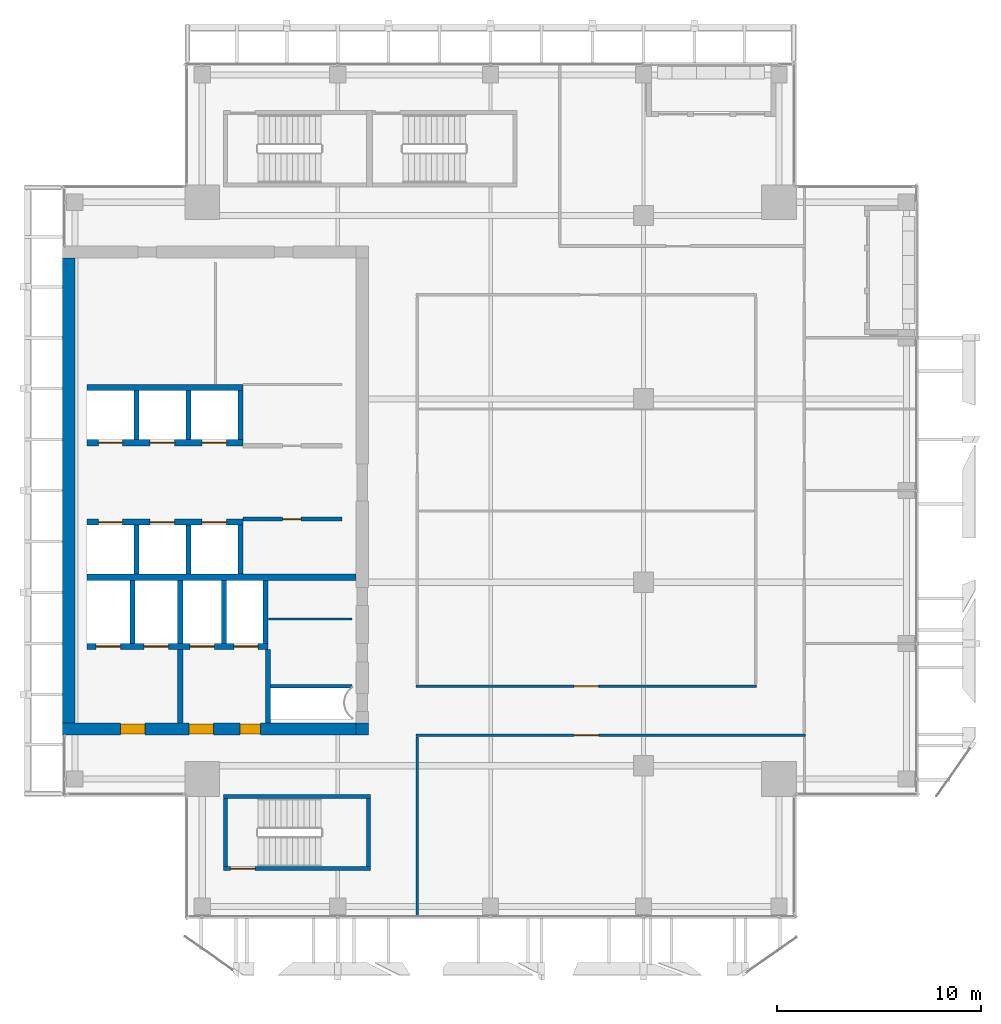
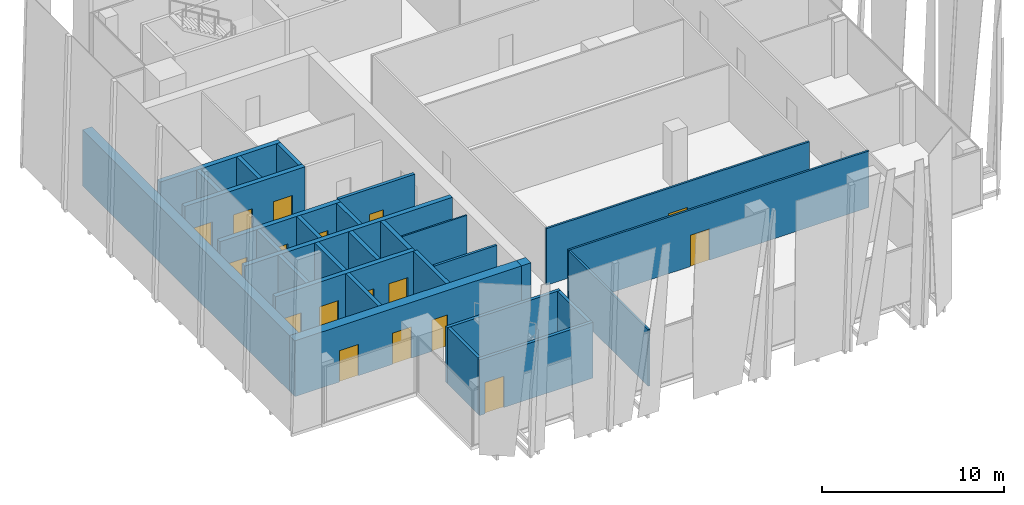
# One storey, part 26 of 32: 30 walls, 17 doors, 17 openings.
"""IFC4 building model written with IfcOpenShell, lengths in metres."""

from ifc_helpers import new_model, si_unit, direction, frame, frame_2d, origin, place, context, subcontext, project, spatial, rectangle, extrude, source, transform, mapped, material, layer, layer_set, type_object, element, fill, save


model = new_model("IFC4")

# Units and contexts
model_context = context("Model", 3, precision=1e-05, world=origin(), true_north=direction((0.0, 1.0)))
body_context = subcontext(model_context, "Body", "Model", "MODEL_VIEW")
ifc_project = project(units=[si_unit("LENGTHUNIT", "METRE"), si_unit("AREAUNIT", "SQUARE_METRE"), si_unit("VOLUMEUNIT", "CUBIC_METRE"), si_unit("PLANEANGLEUNIT", "RADIAN"), si_unit("MASSUNIT", "GRAM", prefix="KILO")], contexts=[model_context])

# Site, building, storey
site_placement = place(None, origin())
site = spatial("IfcSite", under=ifc_project, at=site_placement, CompositionType="ELEMENT")
building_placement = place(site_placement, origin())
building = spatial("IfcBuilding", under=site, at=building_placement, Name="Khomas Fold Tower", CompositionType="ELEMENT")
storey_placement = place(building_placement, frame((0.0, 0.0, 306.199951171875)))
storey = spatial("IfcBuildingStorey", under=building, at=storey_placement, Name="L69", CompositionType="ELEMENT", Elevation=306.199951171875)

# Wall
ifc_material_1 = material(Name="Concrete C50/60", Category="concrete")
ifc_layer_1 = layer(ifc_material_1, 0.199951171875)
ifc_layer_set_1 = layer_set([ifc_layer_1], Name="Concrete C50/60")
wall_type_1 = type_object("IfcWallType", Name="Stair wall 200", PredefinedType="SHEAR", material=ifc_layer_set_1)
shared_shape_1 = source(origin(), body_context, "Body", "SweptSolid", [
    extrude(rectangle(XDim=7.2001953125, YDim=0.199951171875, at=frame_2d((3.60009765625, 0.0))), origin(), (0.0, 0.0, 1.0), 3.75),
])
wall_1_placement = place(storey_placement, frame((13.89990234375, 12.0, 0.0), z_axis=(0.0, 0.0, 1.0), x_axis=(1.0, 0.0, 0.0)))
element("IfcWall", 1, at=wall_1_placement, inside=storey, type_object=wall_type_1, Name="Stair wall SW-ST2-NH", PredefinedType="SHEAR", context=body_context, shape_type="MappedRepresentation", body=[
    mapped(shared_shape_1, transform((0.0, 0.0, 0.0))),
])

# Wall, opening, door
wall_2_placement = place(storey_placement, frame((13.89990234375, 8.449951171875, 0.0), z_axis=(0.0, 0.0, 1.0), x_axis=(1.0, 0.0, 0.0)))
wall_2 = element("IfcWall", 2, at=wall_2_placement, inside=storey, type_object=wall_type_1, Name="Stair wall SW-ST2-S", PredefinedType="SHEAR", context=body_context, shape_type="MappedRepresentation", body=[
    mapped(shared_shape_1, transform((0.0, 0.0, 0.0))),
])
shared_shape_2 = source(origin(), body_context, "Body", "SweptSolid", [
    extrude(rectangle(XDim=1.199951171875, YDim=2.10009765625, at=frame_2d((0.60009765625, 1.050048828125))), frame((0.0, 0.10986328125, 0.0), z_axis=(0.0, -1.0, 0.0), x_axis=(1.0, 0.0, 0.0)), (0.0, 0.0, 1.0), 0.219970703125),
])
opening_1_placement = place(wall_2_placement, frame((0.35009765625, 0.0, 0.0)))
opening_1 = element("IfcOpeningElement", 3, at=opening_1_placement, cuts=wall_2, Name="Opening SD-ST2", PredefinedType="OPENING", context=body_context, shape_type="MappedRepresentation", body=[
    mapped(shared_shape_2, transform((0.0, 0.0, 0.0))),
])
ifc_material_2 = material(Name="Steel door leaf", Category="steel")
door_type_1 = type_object("IfcDoorType", Name="Stair door 1200x2100 right-hand", OperationType="SINGLE_SWING_RIGHT", PredefinedType="DOOR", material=ifc_material_2)
shared_shape_3 = source(origin(), body_context, "Body", "SweptSolid", [
    extrude(rectangle(XDim=1.199951171875, YDim=2.10009765625, at=frame_2d((0.60009765625, 1.050048828125))), frame((0.0, 0.02490234375, 0.0), z_axis=(0.0, -1.0, 0.0), x_axis=(1.0, 0.0, 0.0)), (0.0, 0.0, 1.0), 0.050048828125),
])
door_1_placement = place(opening_1_placement, origin())
door_1 = element("IfcDoor", 4, at=door_1_placement, inside=storey, type_object=door_type_1, Name="Stair door", OperationType="SINGLE_SWING_RIGHT", OverallHeight=2.10009765625, OverallWidth=1.199951171875, PredefinedType="DOOR", context=body_context, shape_type="MappedRepresentation", body=[
    mapped(shared_shape_3, transform((0.0, 0.0, 0.0))),
])
fill(opening_1, door_1)

# Walls
shared_shape_4 = source(origin(), body_context, "Body", "SweptSolid", [
    extrude(rectangle(XDim=3.349853515625, YDim=0.199951171875, at=frame_2d((1.6748046875, 0.0))), origin(), (0.0, 0.0, 1.0), 3.75),
])
for number, where, z_axis, x_axis, name in (
    (5, (21.0, 8.550048828125, 0.0), (0.0, 0.0, 1.0), (0.0, 1.0, 0.0), "Stair wall SW-ST2-E"),
    (6, (14.0, 8.550048828125, 0.0), (0.0, 0.0, 1.0), (0.0, 1.0, 0.0), "Stair wall SW-ST2-W"),
):
    element("IfcWall", number, at=place(storey_placement, frame(where, z_axis=z_axis, x_axis=x_axis)), inside=storey, type_object=wall_type_1, Name=name, PredefinedType="SHEAR", context=body_context, shape_type="MappedRepresentation", body=[
        mapped(shared_shape_4, transform((0.0, 0.0, 0.0))),
    ])
ifc_material_3 = material(Name="Concrete C50/60", Category="concrete")
ifc_layer_2 = layer(ifc_material_3, 0.25)
ifc_layer_set_2 = layer_set([ifc_layer_2], Name="Concrete C50/60")
wall_type_2 = type_object("IfcWallType", Name="Shaft wall 250", PredefinedType="STANDARD", material=ifc_layer_set_2)
shared_shape_5 = source(origin(), body_context, "Body", "SweptSolid", [
    extrude(rectangle(XDim=3.10009765625, YDim=0.25, at=frame_2d((1.550048828125, 0.0))), origin(), (0.0, 0.0, 1.0), 3.75),
])
for number, where, z_axis, x_axis, name in (
    (7, (9.425048828125, 19.5, 0.0), (0.0, 0.0, 1.0), (0.0, 1.0, 0.0), "Core wall SW-FS-P1"),
    (8, (11.77490234375, 19.5, 0.0), (0.0, 0.0, 1.0), (0.0, 1.0, 0.0), "Core wall SW-FS-P2"),
    (9, (13.925048828125, 19.5, 0.0), (0.0, 0.0, 1.0), (0.0, 1.0, 0.0), "Core wall SW-FS-P3"),
    (10, (15.949951171875, 19.5, 0.0), (0.0, 0.0, 1.0), (0.0, 1.0, 0.0), "Core wall SW-FS-PE"),
):
    element("IfcWall", number, at=place(storey_placement, frame(where, z_axis=z_axis, x_axis=x_axis)), inside=storey, type_object=wall_type_2, Name=name, PredefinedType="STANDARD", context=body_context, shape_type="MappedRepresentation", body=[
        mapped(shared_shape_5, transform((0.0, 0.0, 0.0))),
    ])
shared_shape_6 = source(origin(), body_context, "Body", "SweptSolid", [
    extrude(rectangle(XDim=2.39990234375, YDim=0.25, at=frame_2d((1.199951171875, 0.0))), origin(), (0.0, 0.0, 1.0), 3.75),
])
for number, where, z_axis, x_axis, name in (
    (11, (9.625, 29.5, 0.0), (0.0, 0.0, 1.0), (0.0, 1.0, 0.0), "Core wall SW-HRN-P1"),
    (12, (12.175048828125, 29.5, 0.0), (0.0, 0.0, 1.0), (0.0, 1.0, 0.0), "Core wall SW-HRN-P2"),
    (13, (14.72509765625, 29.5, 0.0), (0.0, 0.0, 1.0), (0.0, 1.0, 0.0), "Core wall SW-HRN-PE"),
):
    element("IfcWall", number, at=place(storey_placement, frame(where, z_axis=z_axis, x_axis=x_axis)), inside=storey, type_object=wall_type_2, Name=name, PredefinedType="STANDARD", context=body_context, shape_type="MappedRepresentation", body=[
        mapped(shared_shape_6, transform((0.0, 0.0, 0.0))),
    ])
shared_shape_7 = source(origin(), body_context, "Body", "SweptSolid", [
    extrude(rectangle(XDim=2.400146484375, YDim=0.25, at=frame_2d((1.2001953125, 0.0))), origin(), (0.0, 0.0, 1.0), 3.75),
])
for number, where, z_axis, x_axis, name in (
    (14, (9.625, 22.89990234375, 0.0), (0.0, 0.0, 1.0), (0.0, 1.0, 0.0), "Core wall SW-HRS-P1"),
    (15, (12.175048828125, 22.89990234375, 0.0), (0.0, 0.0, 1.0), (0.0, 1.0, 0.0), "Core wall SW-HRS-P2"),
    (16, (14.72509765625, 22.89990234375, 0.0), (0.0, 0.0, 1.0), (0.0, 1.0, 0.0), "Core wall SW-HRS-PE"),
):
    element("IfcWall", number, at=place(storey_placement, frame(where, z_axis=z_axis, x_axis=x_axis)), inside=storey, type_object=wall_type_2, Name=name, PredefinedType="STANDARD", context=body_context, shape_type="MappedRepresentation", body=[
        mapped(shared_shape_7, transform((0.0, 0.0, 0.0))),
    ])

# Wall, openings, doors
ifc_material_4 = material(Name="Concrete C50/60", Category="concrete")
ifc_layer_3 = layer(ifc_material_4, 0.60009765625)
ifc_layer_set_3 = layer_set([ifc_layer_3], Name="Concrete C50/60")
wall_type_3 = type_object("IfcWallType", Name="Core wall 600", PredefinedType="SHEAR", material=ifc_layer_set_3)
shared_shape_8 = source(origin(), body_context, "Body", "SweptSolid", [
    extrude(rectangle(XDim=14.39990234375, YDim=0.60009765625, at=frame_2d((7.199951171875, 0.0))), origin(), (0.0, 0.0, 1.0), 3.75),
])
wall_3_placement = place(storey_placement, frame((6.0, 15.300048828125, 0.0), z_axis=(0.0, 0.0, 1.0), x_axis=(1.0, 0.0, 0.0)))
wall_3 = element("IfcWall", 17, at=wall_3_placement, inside=storey, type_object=wall_type_3, Name="Core wall CW-U-S-L63", PredefinedType="SHEAR", context=body_context, shape_type="MappedRepresentation", body=[
    mapped(shared_shape_8, transform((0.0, 0.0, 0.0))),
])
shared_shape_9 = source(origin(), body_context, "Body", "SweptSolid", [
    extrude(rectangle(XDim=1.199951171875, YDim=2.10009765625, at=frame_2d((0.60009765625, 1.050048828125))), frame((0.0, 0.31005859375, 0.0), z_axis=(0.0, -1.0, 0.0), x_axis=(1.0, 0.0, 0.0)), (0.0, 0.0, 1.0), 0.6201171875),
])
opening_2_placement = place(wall_3_placement, frame((6.199951171875, 0.0, 0.0)))
opening_2 = element("IfcOpeningElement", 18, at=opening_2_placement, cuts=wall_3, Name="Opening 0009", PredefinedType="OPENING", context=body_context, shape_type="MappedRepresentation", body=[
    mapped(shared_shape_9, transform((0.0, 0.0, 0.0))),
])
opening_3_placement = place(wall_3_placement, frame((2.85009765625, 0.0, 0.0)))
opening_3 = element("IfcOpeningElement", 19, at=opening_3_placement, cuts=wall_3, Name="Opening 0009", PredefinedType="OPENING", context=body_context, shape_type="MappedRepresentation", body=[
    mapped(shared_shape_9, transform((0.0, 0.0, 0.0))),
])
shared_shape_10 = source(origin(), body_context, "Body", "SweptSolid", [
    extrude(rectangle(XDim=1.0, YDim=2.10009765625, at=frame_2d((0.5, 1.050048828125))), frame((0.0, 0.31005859375, 0.0), z_axis=(0.0, -1.0, 0.0), x_axis=(1.0, 0.0, 0.0)), (0.0, 0.0, 1.0), 0.6201171875),
])
opening_4_placement = place(wall_3_placement, frame((8.699951171875, 0.0, 0.0)))
opening_4 = element("IfcOpeningElement", 20, at=opening_4_placement, cuts=wall_3, Name="Opening 0010", PredefinedType="OPENING", context=body_context, shape_type="MappedRepresentation", body=[
    mapped(shared_shape_10, transform((0.0, 0.0, 0.0))),
])
ifc_material_5 = material(Name="Steel door leaf", Category="steel")
door_type_2 = type_object("IfcDoorType", Name="Stair door 1000x2100 right-hand", OperationType="SINGLE_SWING_RIGHT", PredefinedType="DOOR", material=ifc_material_5)
shared_shape_11 = source(origin(), body_context, "Body", "SweptSolid", [
    extrude(rectangle(XDim=1.0, YDim=2.10009765625, at=frame_2d((0.5, 1.050048828125))), frame((0.0, 0.25, 0.0), z_axis=(0.0, -1.0, 0.0), x_axis=(1.0, 0.0, 0.0)), (0.0, 0.0, 1.0), 0.5),
])
door_2_placement = place(opening_4_placement, origin())
door_2 = element("IfcDoor", 21, at=door_2_placement, inside=storey, type_object=door_type_2, Name="Stair door", OperationType="SINGLE_SWING_RIGHT", OverallHeight=2.10009765625, OverallWidth=1.0, PredefinedType="DOOR", context=body_context, shape_type="MappedRepresentation", body=[
    mapped(shared_shape_11, transform((0.0, 0.0, 0.0))),
])
fill(opening_4, door_2)
ifc_material_6 = material(Name="Steel door leaf", Category="steel")
door_type_3 = type_object("IfcDoorType", Name="Lobby door 1200x2100 right-hand", OperationType="SINGLE_SWING_RIGHT", PredefinedType="DOOR", material=ifc_material_6)
shared_shape_12 = source(origin(), body_context, "Body", "SweptSolid", [
    extrude(rectangle(XDim=1.199951171875, YDim=2.10009765625, at=frame_2d((0.60009765625, 1.050048828125))), frame((0.0, 0.25, 0.0), z_axis=(0.0, -1.0, 0.0), x_axis=(1.0, 0.0, 0.0)), (0.0, 0.0, 1.0), 0.5),
])
door_3_placement = place(opening_2_placement, origin())
door_3 = element("IfcDoor", 22, at=door_3_placement, inside=storey, type_object=door_type_3, Name="Lobby door", OperationType="SINGLE_SWING_RIGHT", OverallHeight=2.10009765625, OverallWidth=1.199951171875, PredefinedType="DOOR", context=body_context, shape_type="MappedRepresentation", body=[
    mapped(shared_shape_12, transform((0.0, 0.0, 0.0))),
])
fill(opening_2, door_3)
door_4_placement = place(opening_3_placement, origin())
door_4 = element("IfcDoor", 23, at=door_4_placement, inside=storey, type_object=door_type_3, Name="Lobby door", OperationType="SINGLE_SWING_RIGHT", OverallHeight=2.10009765625, OverallWidth=1.199951171875, PredefinedType="DOOR", context=body_context, shape_type="MappedRepresentation", body=[
    mapped(shared_shape_12, transform((0.0, 0.0, 0.0))),
])
fill(opening_3, door_4)

# Walls
ifc_material_7 = material(Name="Concrete C50/60", Category="concrete")
ifc_layer_4 = layer(ifc_material_7, 0.60009765625)
ifc_layer_set_4 = layer_set([ifc_layer_4], Name="Concrete C50/60")
wall_type_4 = type_object("IfcWallType", Name="Core corner wall 600", PredefinedType="SHEAR", material=ifc_layer_set_4)
shared_shape_13 = source(origin(), body_context, "Body", "SweptSolid", [
    extrude(rectangle(XDim=0.60009765625, YDim=0.60009765625, at=frame_2d((0.300048828125, 0.0))), origin(), (0.0, 0.0, 1.0), 3.75),
])
wall_4_placement = place(storey_placement, frame((20.39990234375, 15.300048828125, 0.0), z_axis=(0.0, 0.0, 1.0), x_axis=(1.0, 0.0, 0.0)))
element("IfcWall", 24, at=wall_4_placement, inside=storey, type_object=wall_type_4, Name="Core wall CW-U-SE-L63", PredefinedType="SHEAR", context=body_context, shape_type="MappedRepresentation", body=[
    mapped(shared_shape_13, transform((0.0, 0.0, 0.0))),
])
shared_shape_14 = source(origin(), body_context, "Body", "SweptSolid", [
    extrude(rectangle(XDim=22.7998046875, YDim=0.60009765625, at=frame_2d((11.39990234375, 0.0))), origin(), (0.0, 0.0, 1.0), 3.75),
])
wall_5_placement = place(storey_placement, frame((6.300048828125, 15.60009765625, 0.0), z_axis=(0.0, 0.0, 1.0), x_axis=(0.0, 1.0, 0.0)))
element("IfcWall", 25, at=wall_5_placement, inside=storey, type_object=wall_type_3, Name="Core wall CW-U-W-L63", PredefinedType="SHEAR", context=body_context, shape_type="MappedRepresentation", body=[
    mapped(shared_shape_14, transform((0.0, 0.0, 0.0))),
])
ifc_material_8 = material(Name="Concrete C50/60", Category="concrete")
ifc_layer_5 = layer(ifc_material_8, 0.300048828125)
ifc_layer_set_5 = layer_set([ifc_layer_5], Name="Concrete C50/60")
wall_type_5 = type_object("IfcWallType", Name="Shaft wall 300", PredefinedType="STANDARD", material=ifc_layer_set_5)
shared_shape_15 = source(origin(), body_context, "Body", "SweptSolid", [
    extrude(rectangle(XDim=13.199951171875, YDim=0.300048828125, at=frame_2d((6.60009765625, 0.0))), origin(), (0.0, 0.0, 1.0), 3.75),
])
wall_6_placement = place(storey_placement, frame((7.199951171875, 22.75, 0.0), z_axis=(0.0, 0.0, 1.0), x_axis=(1.0, 0.0, 0.0)))
element("IfcWall", 26, at=wall_6_placement, inside=storey, type_object=wall_type_5, Name="Core wall SW-FS-B", PredefinedType="STANDARD", context=body_context, shape_type="MappedRepresentation", body=[
    mapped(shared_shape_15, transform((0.0, 0.0, 0.0))),
])

# Wall, openings, doors
shared_shape_16 = source(origin(), body_context, "Body", "SweptSolid", [
    extrude(rectangle(XDim=8.875, YDim=0.300048828125, at=frame_2d((4.4375, 0.0))), origin(), (0.0, 0.0, 1.0), 3.75),
])
wall_7_placement = place(storey_placement, frame((7.199951171875, 19.35009765625, 0.0), z_axis=(0.0, 0.0, 1.0), x_axis=(1.0, 0.0, 0.0)))
wall_7 = element("IfcWall", 27, at=wall_7_placement, inside=storey, type_object=wall_type_5, Name="Core wall SW-FS-F", PredefinedType="STANDARD", context=body_context, shape_type="MappedRepresentation", body=[
    mapped(shared_shape_16, transform((0.0, 0.0, 0.0))),
])
shared_shape_17 = source(origin(), body_context, "Body", "SweptSolid", [
    extrude(rectangle(XDim=1.199951171875, YDim=2.10009765625, at=frame_2d((0.60009765625, 1.050048828125))), frame((0.0, 0.159912109375, 0.0), z_axis=(0.0, -1.0, 0.0), x_axis=(1.0, 0.0, 0.0)), (0.0, 0.0, 1.0), 0.320068359375),
])
opening_5_placement = place(wall_7_placement, frame((0.449951171875, 0.0, 0.0)))
opening_5 = element("IfcOpeningElement", 28, at=opening_5_placement, cuts=wall_7, Name="Opening LD-SV1", PredefinedType="OPENING", context=body_context, shape_type="MappedRepresentation", body=[
    mapped(shared_shape_17, transform((0.0, 0.0, 0.0))),
])
opening_6_placement = place(wall_7_placement, frame((2.800048828125, 0.0, 0.0)))
opening_6 = element("IfcOpeningElement", 29, at=opening_6_placement, cuts=wall_7, Name="Opening LD-SV2", PredefinedType="OPENING", context=body_context, shape_type="MappedRepresentation", body=[
    mapped(shared_shape_17, transform((0.0, 0.0, 0.0))),
])
opening_7_placement = place(wall_7_placement, frame((5.050048828125, 0.0, 0.0)))
opening_7 = element("IfcOpeningElement", 30, at=opening_7_placement, cuts=wall_7, Name="Opening LD-FF1", PredefinedType="OPENING", context=body_context, shape_type="MappedRepresentation", body=[
    mapped(shared_shape_17, transform((0.0, 0.0, 0.0))),
])
opening_8_placement = place(wall_7_placement, frame((7.199951171875, 0.0, 0.0)))
opening_8 = element("IfcOpeningElement", 31, at=opening_8_placement, cuts=wall_7, Name="Opening LD-FF2", PredefinedType="OPENING", context=body_context, shape_type="MappedRepresentation", body=[
    mapped(shared_shape_17, transform((0.0, 0.0, 0.0))),
])
ifc_material_9 = material(Name="Steel door leaf", Category="steel")
door_type_4 = type_object("IfcDoorType", Name="Landing door 1200x2100", OperationType="DOUBLE_DOOR_SLIDING", PredefinedType="DOOR", material=ifc_material_9)
door_5_placement = place(opening_5_placement, origin())
door_5 = element("IfcDoor", 32, at=door_5_placement, inside=storey, type_object=door_type_4, Name="Lift landing door", OperationType="DOUBLE_DOOR_SLIDING", OverallHeight=2.10009765625, OverallWidth=1.199951171875, PredefinedType="DOOR", context=body_context, shape_type="MappedRepresentation", body=[
    mapped(shared_shape_3, transform((0.0, 0.0, 0.0))),
])
fill(opening_5, door_5)
door_6_placement = place(opening_6_placement, origin())
door_6 = element("IfcDoor", 33, at=door_6_placement, inside=storey, type_object=door_type_4, Name="Lift landing door", OperationType="DOUBLE_DOOR_SLIDING", OverallHeight=2.10009765625, OverallWidth=1.199951171875, PredefinedType="DOOR", context=body_context, shape_type="MappedRepresentation", body=[
    mapped(shared_shape_3, transform((0.0, 0.0, 0.0))),
])
fill(opening_6, door_6)
door_7_placement = place(opening_7_placement, origin())
door_7 = element("IfcDoor", 34, at=door_7_placement, inside=storey, type_object=door_type_4, Name="Lift landing door", OperationType="DOUBLE_DOOR_SLIDING", OverallHeight=2.10009765625, OverallWidth=1.199951171875, PredefinedType="DOOR", context=body_context, shape_type="MappedRepresentation", body=[
    mapped(shared_shape_3, transform((0.0, 0.0, 0.0))),
])
fill(opening_7, door_7)
door_8_placement = place(opening_8_placement, origin())
door_8 = element("IfcDoor", 35, at=door_8_placement, inside=storey, type_object=door_type_4, Name="Lift landing door", OperationType="DOUBLE_DOOR_SLIDING", OverallHeight=2.10009765625, OverallWidth=1.199951171875, PredefinedType="DOOR", context=body_context, shape_type="MappedRepresentation", body=[
    mapped(shared_shape_3, transform((0.0, 0.0, 0.0))),
])
fill(opening_8, door_8)

# Wall
shared_shape_18 = source(origin(), body_context, "Body", "SweptSolid", [
    extrude(rectangle(XDim=7.650146484375, YDim=0.300048828125, at=frame_2d((3.8251953125, 0.0))), origin(), (0.0, 0.0, 1.0), 3.75),
])
wall_8_placement = place(storey_placement, frame((7.199951171875, 32.050048828125, 0.0), z_axis=(0.0, 0.0, 1.0), x_axis=(1.0, 0.0, 0.0)))
element("IfcWall", 36, at=wall_8_placement, inside=storey, type_object=wall_type_5, Name="Core wall SW-HRN-B", PredefinedType="STANDARD", context=body_context, shape_type="MappedRepresentation", body=[
    mapped(shared_shape_18, transform((0.0, 0.0, 0.0))),
])

# Wall, openings, doors
wall_9_placement = place(storey_placement, frame((7.199951171875, 29.35009765625, 0.0), z_axis=(0.0, 0.0, 1.0), x_axis=(1.0, 0.0, 0.0)))
wall_9 = element("IfcWall", 37, at=wall_9_placement, inside=storey, type_object=wall_type_5, Name="Core wall SW-HRN-F", PredefinedType="STANDARD", context=body_context, shape_type="MappedRepresentation", body=[
    mapped(shared_shape_18, transform((0.0, 0.0, 0.0))),
])
opening_9_placement = place(wall_9_placement, frame((0.550048828125, 0.0, 0.0)))
opening_9 = element("IfcOpeningElement", 38, at=opening_9_placement, cuts=wall_9, Name="Opening LD-HR4", PredefinedType="OPENING", context=body_context, shape_type="MappedRepresentation", body=[
    mapped(shared_shape_17, transform((0.0, 0.0, 0.0))),
])
opening_10_placement = place(wall_9_placement, frame((3.10009765625, 0.0, 0.0)))
opening_10 = element("IfcOpeningElement", 39, at=opening_10_placement, cuts=wall_9, Name="Opening LD-HR5", PredefinedType="OPENING", context=body_context, shape_type="MappedRepresentation", body=[
    mapped(shared_shape_17, transform((0.0, 0.0, 0.0))),
])
opening_11_placement = place(wall_9_placement, frame((5.64990234375, 0.0, 0.0)))
opening_11 = element("IfcOpeningElement", 40, at=opening_11_placement, cuts=wall_9, Name="Opening LD-HR6", PredefinedType="OPENING", context=body_context, shape_type="MappedRepresentation", body=[
    mapped(shared_shape_17, transform((0.0, 0.0, 0.0))),
])
door_9_placement = place(opening_9_placement, origin())
door_9 = element("IfcDoor", 41, at=door_9_placement, inside=storey, type_object=door_type_4, Name="Lift landing door", OperationType="DOUBLE_DOOR_SLIDING", OverallHeight=2.10009765625, OverallWidth=1.199951171875, PredefinedType="DOOR", context=body_context, shape_type="MappedRepresentation", body=[
    mapped(shared_shape_3, transform((0.0, 0.0, 0.0))),
])
fill(opening_9, door_9)
door_10_placement = place(opening_10_placement, origin())
door_10 = element("IfcDoor", 42, at=door_10_placement, inside=storey, type_object=door_type_4, Name="Lift landing door", OperationType="DOUBLE_DOOR_SLIDING", OverallHeight=2.10009765625, OverallWidth=1.199951171875, PredefinedType="DOOR", context=body_context, shape_type="MappedRepresentation", body=[
    mapped(shared_shape_3, transform((0.0, 0.0, 0.0))),
])
fill(opening_10, door_10)
door_11_placement = place(opening_11_placement, origin())
door_11 = element("IfcDoor", 43, at=door_11_placement, inside=storey, type_object=door_type_4, Name="Lift landing door", OperationType="DOUBLE_DOOR_SLIDING", OverallHeight=2.10009765625, OverallWidth=1.199951171875, PredefinedType="DOOR", context=body_context, shape_type="MappedRepresentation", body=[
    mapped(shared_shape_3, transform((0.0, 0.0, 0.0))),
])
fill(opening_11, door_11)

wall_10_placement = place(storey_placement, frame((7.199951171875, 25.449951171875, 0.0), z_axis=(0.0, 0.0, 1.0), x_axis=(1.0, 0.0, 0.0)))
wall_10 = element("IfcWall", 44, at=wall_10_placement, inside=storey, type_object=wall_type_5, Name="Core wall SW-HRS-F", PredefinedType="STANDARD", context=body_context, shape_type="MappedRepresentation", body=[
    mapped(shared_shape_18, transform((0.0, 0.0, 0.0))),
])
opening_12_placement = place(wall_10_placement, frame((0.550048828125, 0.0, 0.0)))
opening_12 = element("IfcOpeningElement", 45, at=opening_12_placement, cuts=wall_10, Name="Opening LD-HR1", PredefinedType="OPENING", context=body_context, shape_type="MappedRepresentation", body=[
    mapped(shared_shape_17, transform((0.0, 0.0, 0.0))),
])
opening_13_placement = place(wall_10_placement, frame((3.10009765625, 0.0, 0.0)))
opening_13 = element("IfcOpeningElement", 46, at=opening_13_placement, cuts=wall_10, Name="Opening LD-HR2", PredefinedType="OPENING", context=body_context, shape_type="MappedRepresentation", body=[
    mapped(shared_shape_17, transform((0.0, 0.0, 0.0))),
])
opening_14_placement = place(wall_10_placement, frame((5.64990234375, 0.0, 0.0)))
opening_14 = element("IfcOpeningElement", 47, at=opening_14_placement, cuts=wall_10, Name="Opening LD-HR3", PredefinedType="OPENING", context=body_context, shape_type="MappedRepresentation", body=[
    mapped(shared_shape_17, transform((0.0, 0.0, 0.0))),
])
door_12_placement = place(opening_12_placement, origin())
door_12 = element("IfcDoor", 48, at=door_12_placement, inside=storey, type_object=door_type_4, Name="Lift landing door", OperationType="DOUBLE_DOOR_SLIDING", OverallHeight=2.10009765625, OverallWidth=1.199951171875, PredefinedType="DOOR", context=body_context, shape_type="MappedRepresentation", body=[
    mapped(shared_shape_3, transform((0.0, 0.0, 0.0))),
])
fill(opening_12, door_12)
door_13_placement = place(opening_13_placement, origin())
door_13 = element("IfcDoor", 49, at=door_13_placement, inside=storey, type_object=door_type_4, Name="Lift landing door", OperationType="DOUBLE_DOOR_SLIDING", OverallHeight=2.10009765625, OverallWidth=1.199951171875, PredefinedType="DOOR", context=body_context, shape_type="MappedRepresentation", body=[
    mapped(shared_shape_3, transform((0.0, 0.0, 0.0))),
])
fill(opening_13, door_13)
door_14_placement = place(opening_14_placement, origin())
door_14 = element("IfcDoor", 50, at=door_14_placement, inside=storey, type_object=door_type_4, Name="Lift landing door", OperationType="DOUBLE_DOOR_SLIDING", OverallHeight=2.10009765625, OverallWidth=1.199951171875, PredefinedType="DOOR", context=body_context, shape_type="MappedRepresentation", body=[
    mapped(shared_shape_3, transform((0.0, 0.0, 0.0))),
])
fill(opening_14, door_14)

# Walls
ifc_material_10 = material(Name="Concrete C50/60", Category="concrete")
ifc_layer_6 = layer(ifc_material_10, 0.25)
ifc_layer_set_6 = layer_set([ifc_layer_6], Name="Concrete C50/60")
wall_type_6 = type_object("IfcWallType", Name="Lobby wall 250", PredefinedType="STANDARD", material=ifc_layer_set_6)
shared_shape_19 = source(origin(), body_context, "Body", "SweptSolid", [
    extrude(rectangle(XDim=3.599853515625, YDim=0.25, at=frame_2d((1.7998046875, 0.0))), origin(), (0.0, 0.0, 1.0), 3.75),
])
for number, where, z_axis, x_axis, name in (
    (51, (16.074951171875, 15.60009765625, 0.0), (0.0, 0.0, 1.0), (0.0, 1.0, 0.0), "Core wall SW-FS-LOB-E"),
    (52, (11.77490234375, 15.60009765625, 0.0), (0.0, 0.0, 1.0), (0.0, 1.0, 0.0), "Core wall SW-FS-SEP"),
):
    element("IfcWall", number, at=place(storey_placement, frame(where, z_axis=z_axis, x_axis=x_axis)), inside=storey, type_object=wall_type_6, Name=name, PredefinedType="STANDARD", context=body_context, shape_type="MappedRepresentation", body=[
        mapped(shared_shape_19, transform((0.0, 0.0, 0.0))),
    ])
ifc_material_11 = material(Name="Plasterboard fire partition")
ifc_layer_7 = layer(ifc_material_11, 0.14990234375)
ifc_layer_set_7 = layer_set([ifc_layer_7], Name="Plasterboard fire partition")
wall_type_7 = type_object("IfcWallType", Name="Plant room wall PW3 150", PredefinedType="PARTITIONING", material=ifc_layer_set_7)
shared_shape_20 = source(origin(), body_context, "Body", "SweptSolid", [
    extrude(rectangle(XDim=4.0, YDim=0.14990234375, at=frame_2d((2.0, 0.0))), origin(), (0.0, 0.0, 1.0), 3.800048828125),
])
wall_11_placement = place(storey_placement, frame((16.199951171875, 17.39990234375, 0.0), z_axis=(0.0, 0.0, 1.0), x_axis=(1.0, 0.0, 0.0)))
element("IfcWall", 53, at=wall_11_placement, inside=storey, type_object=wall_type_7, Name="Plant room wall", PredefinedType="PARTITIONING", context=body_context, shape_type="MappedRepresentation", body=[
    mapped(shared_shape_20, transform((0.0, 0.0, 0.0))),
])
ifc_material_12 = material(Name="Plasterboard partition")
ifc_layer_8 = layer(ifc_material_12, 0.10009765625)
ifc_layer_set_8 = layer_set([ifc_layer_8], Name="Plasterboard partition")
wall_type_8 = type_object("IfcWallType", Name="Partition PW1 100", PredefinedType="PARTITIONING", material=ifc_layer_set_8)
shared_shape_21 = source(origin(), body_context, "Body", "SweptSolid", [
    extrude(rectangle(XDim=4.099853515625, YDim=0.10009765625, at=frame_2d((2.0498046875, 0.0))), origin(), (0.0, 0.0, 1.0), 3.800048828125),
])
wall_12_placement = place(storey_placement, frame((16.10009765625, 20.699951171875, 0.0), z_axis=(0.0, 0.0, 1.0), x_axis=(1.0, 0.0, 0.0)))
element("IfcWall", 54, at=wall_12_placement, inside=storey, type_object=wall_type_8, Name="Partition", PredefinedType="PARTITIONING", context=body_context, shape_type="MappedRepresentation", body=[
    mapped(shared_shape_21, transform((0.0, 0.0, 0.0))),
])

# Wall, opening, door
ifc_material_13 = material(Name="Concrete C30/37", Category="concrete")
ifc_layer_9 = layer(ifc_material_13, 0.199951171875)
ifc_layer_set_9 = layer_set([ifc_layer_9], Name="Concrete C30/37")
wall_type_9 = type_object("IfcWallType", Name="Lobby wall PW4 200", PredefinedType="PARTITIONING", material=ifc_layer_set_9)
shared_shape_22 = source(origin(), body_context, "Body", "SweptSolid", [
    extrude(rectangle(XDim=4.849853515625, YDim=0.199951171875, at=frame_2d((2.4248046875, 0.0))), origin(), (0.0, 0.0, 1.0), 3.800048828125),
])
wall_13_placement = place(storey_placement, frame((14.85009765625, 25.60009765625, 0.0), z_axis=(0.0, 0.0, 1.0), x_axis=(1.0, 0.0, 0.0)))
wall_13 = element("IfcWall", 55, at=wall_13_placement, inside=storey, type_object=wall_type_9, Name="Lobby wall", PredefinedType="PARTITIONING", context=body_context, shape_type="MappedRepresentation", body=[
    mapped(shared_shape_22, transform((0.0, 0.0, 0.0))),
])
shared_shape_23 = source(origin(), body_context, "Body", "SweptSolid", [
    extrude(rectangle(XDim=0.89990234375, YDim=2.10009765625, at=frame_2d((0.449951171875, 1.050048828125))), frame((0.0, 0.10986328125, 0.0), z_axis=(0.0, -1.0, 0.0), x_axis=(1.0, 0.0, 0.0)), (0.0, 0.0, 1.0), 0.219970703125),
])
opening_15_placement = place(wall_13_placement, frame((1.949951171875, 0.0, 0.0)))
opening_15 = element("IfcOpeningElement", 56, at=opening_15_placement, cuts=wall_13, Name="Opening 0002", PredefinedType="OPENING", context=body_context, shape_type="MappedRepresentation", body=[
    mapped(shared_shape_23, transform((0.0, 0.0, 0.0))),
])
ifc_material_14 = material(Name="Steel door leaf", Category="steel")
door_type_5 = type_object("IfcDoorType", Name="Plant room door 900x2100 left-hand", OperationType="SINGLE_SWING_LEFT", PredefinedType="DOOR", material=ifc_material_14)
shared_shape_24 = source(origin(), body_context, "Body", "SweptSolid", [
    extrude(rectangle(XDim=0.89990234375, YDim=2.10009765625, at=frame_2d((0.449951171875, 1.050048828125))), frame((0.0, 0.02490234375, 0.0), z_axis=(0.0, -1.0, 0.0), x_axis=(1.0, 0.0, 0.0)), (0.0, 0.0, 1.0), 0.050048828125),
])
door_15_placement = place(opening_15_placement, origin())
door_15 = element("IfcDoor", 57, at=door_15_placement, inside=storey, type_object=door_type_5, Name="Plant room door", OperationType="SINGLE_SWING_LEFT", OverallHeight=2.10009765625, OverallWidth=0.89990234375, PredefinedType="DOOR", context=body_context, shape_type="MappedRepresentation", body=[
    mapped(shared_shape_24, transform((0.0, 0.0, 0.0))),
])
fill(opening_15, door_15)

# Wall
ifc_material_15 = material(Name="Plasterboard partition")
ifc_layer_10 = layer(ifc_material_15, 0.125)
ifc_layer_set_10 = layer_set([ifc_layer_10], Name="Plasterboard partition")
wall_type_10 = type_object("IfcWallType", Name="Partition PW2 125", PredefinedType="PARTITIONING", material=ifc_layer_set_10)
shared_shape_25 = source(origin(), body_context, "Body", "SweptSolid", [
    extrude(rectangle(XDim=8.75, YDim=0.125, at=frame_2d((4.375, 0.0))), origin(), (0.0, 0.0, 1.0), 3.800048828125),
])
wall_14_placement = place(storey_placement, frame((23.39990234375, 6.14990234375, 0.0), z_axis=(0.0, 0.0, 1.0), x_axis=(0.0, 1.0, 0.0)))
element("IfcWall", 58, at=wall_14_placement, inside=storey, type_object=wall_type_10, Name="Partition", PredefinedType="PARTITIONING", context=body_context, shape_type="MappedRepresentation", body=[
    mapped(shared_shape_25, transform((0.0, 0.0, 0.0))),
])

# Wall, opening, door
shared_shape_26 = source(origin(), body_context, "Body", "SweptSolid", [
    extrude(rectangle(XDim=19.099853515625, YDim=0.125, at=frame_2d((9.5498046875, 0.0))), origin(), (0.0, 0.0, 1.0), 3.800048828125),
])
wall_15_placement = place(storey_placement, frame((23.35009765625, 15.0, 0.0), z_axis=(0.0, 0.0, 1.0), x_axis=(1.0, 0.0, 0.0)))
wall_15 = element("IfcWall", 59, at=wall_15_placement, inside=storey, type_object=wall_type_10, Name="Partition", PredefinedType="PARTITIONING", context=body_context, shape_type="MappedRepresentation", body=[
    mapped(shared_shape_26, transform((0.0, 0.0, 0.0))),
])
shared_shape_27 = source(origin(), body_context, "Body", "SweptSolid", [
    extrude(rectangle(XDim=1.199951171875, YDim=2.10009765625, at=frame_2d((0.60009765625, 1.050048828125))), frame((0.0, 0.072509765625, 0.0), z_axis=(0.0, -1.0, 0.0), x_axis=(1.0, 0.0, 0.0)), (0.0, 0.0, 1.0), 0.14501953125),
])
opening_16_placement = place(wall_15_placement, frame((7.75, 0.0, 0.0)))
opening_16 = element("IfcOpeningElement", 60, at=opening_16_placement, cuts=wall_15, Name="Opening 0013", PredefinedType="OPENING", context=body_context, shape_type="MappedRepresentation", body=[
    mapped(shared_shape_27, transform((0.0, 0.0, 0.0))),
])
ifc_material_16 = material(Name="Timber door leaf", Category="wood")
door_type_6 = type_object("IfcDoorType", Name="Door 1200x2100 left-hand", OperationType="SINGLE_SWING_LEFT", PredefinedType="DOOR", material=ifc_material_16)
door_16_placement = place(opening_16_placement, origin())
door_16 = element("IfcDoor", 61, at=door_16_placement, inside=storey, type_object=door_type_6, Name="Door", OperationType="SINGLE_SWING_LEFT", OverallHeight=2.10009765625, OverallWidth=1.199951171875, PredefinedType="DOOR", context=body_context, shape_type="MappedRepresentation", body=[
    mapped(shared_shape_3, transform((0.0, 0.0, 0.0))),
])
fill(opening_16, door_16)

shared_shape_28 = source(origin(), body_context, "Body", "SweptSolid", [
    extrude(rectangle(XDim=16.699951171875, YDim=0.125, at=frame_2d((8.35009765625, 0.0))), origin(), (0.0, 0.0, 1.0), 3.800048828125),
])
wall_16_placement = place(storey_placement, frame((23.35009765625, 17.39990234375, 0.0), z_axis=(0.0, 0.0, 1.0), x_axis=(1.0, 0.0, 0.0)))
wall_16 = element("IfcWall", 62, at=wall_16_placement, inside=storey, type_object=wall_type_10, Name="Partition", PredefinedType="PARTITIONING", context=body_context, shape_type="MappedRepresentation", body=[
    mapped(shared_shape_28, transform((0.0, 0.0, 0.0))),
])
opening_17_placement = place(wall_16_placement, frame((7.75, 0.0, 0.0)))
opening_17 = element("IfcOpeningElement", 63, at=opening_17_placement, cuts=wall_16, Name="Opening 0013", PredefinedType="OPENING", context=body_context, shape_type="MappedRepresentation", body=[
    mapped(shared_shape_27, transform((0.0, 0.0, 0.0))),
])
door_17_placement = place(opening_17_placement, origin())
door_17 = element("IfcDoor", 64, at=door_17_placement, inside=storey, type_object=door_type_6, Name="Door", OperationType="SINGLE_SWING_LEFT", OverallHeight=2.10009765625, OverallWidth=1.199951171875, PredefinedType="DOOR", context=body_context, shape_type="MappedRepresentation", body=[
    mapped(shared_shape_3, transform((0.0, 0.0, 0.0))),
])
fill(opening_17, door_17)

save(model, "model.ifc")
